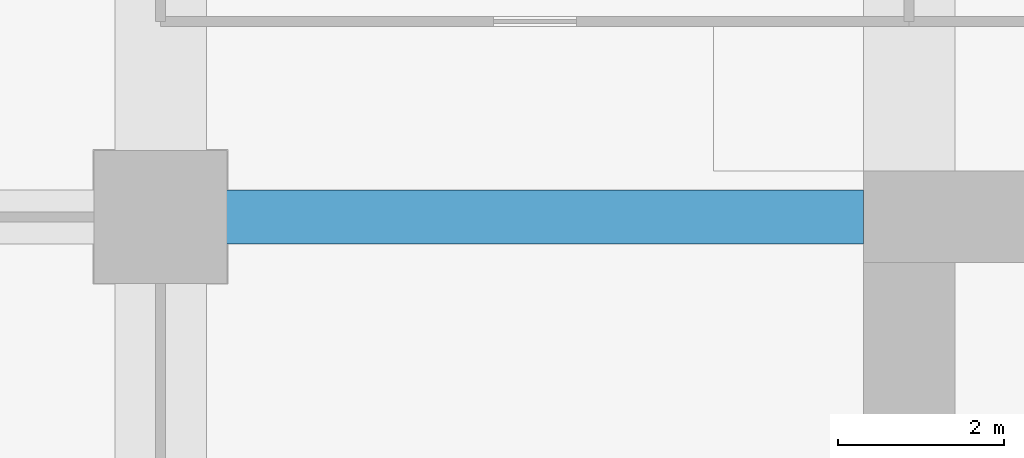
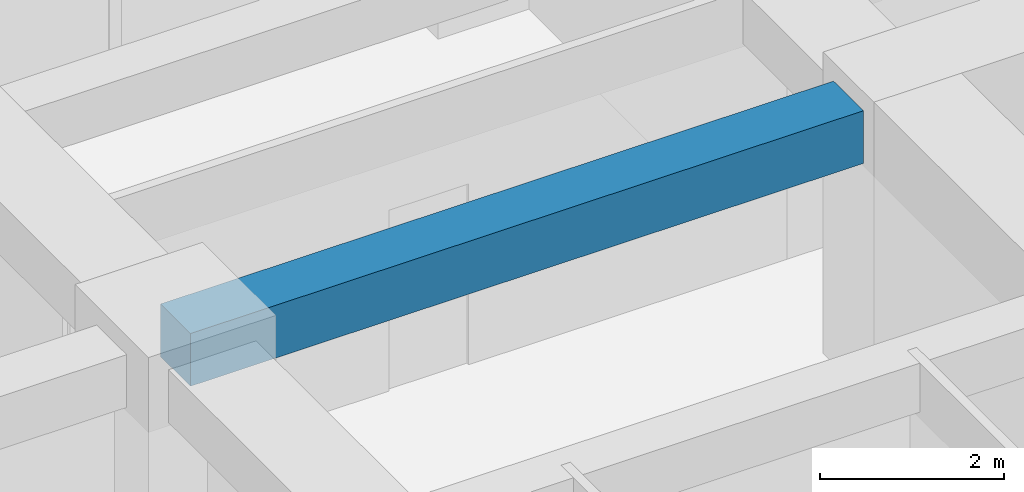
# One storey, part 21 of 32: 1 beam.
"""IFC4 building model written with IfcOpenShell, lengths in metres."""

from ifc_helpers import new_model, si_unit, direction, frame, origin, origin_2d, place, context, subcontext, project, spatial, rectangle, extrude, material, material_profile, profile_set, type_object, element, save


model = new_model("IFC4")

# Units and contexts
model_context = context("Model", 3, precision=1e-05, world=origin(), true_north=direction((0.0, 1.0)))
body_context = subcontext(model_context, "Body", "Model", "MODEL_VIEW")
ifc_project = project(units=[si_unit("LENGTHUNIT", "METRE"), si_unit("AREAUNIT", "SQUARE_METRE"), si_unit("VOLUMEUNIT", "CUBIC_METRE"), si_unit("PLANEANGLEUNIT", "RADIAN"), si_unit("MASSUNIT", "GRAM", prefix="KILO")], contexts=[model_context])

# Site, building, storey
site_placement = place(None, origin())
site = spatial("IfcSite", under=ifc_project, at=site_placement, CompositionType="ELEMENT")
building_placement = place(site_placement, origin())
building = spatial("IfcBuilding", under=site, at=building_placement, Name="Zorevar Civic Tower", CompositionType="ELEMENT")
storey_placement = place(building_placement, frame((0.0, 0.0, 190.199951171875)))
storey = spatial("IfcBuildingStorey", under=building, at=storey_placement, Name="L46", CompositionType="ELEMENT", Elevation=190.199951171875)

# Beam
ifc_material = material(Name="Concrete C50/60", Category="concrete")
ifc_material_profile = material_profile(ifc_material, rectangle(XDim=0.64990234375, YDim=0.699951171875, at=origin_2d()), Name="RC 650x700")
ifc_profile_set = profile_set([ifc_material_profile], Name="Concrete C50/60")
beam_type = type_object("IfcBeamType", Name="Beam RC 650x700", PredefinedType="BEAM", material=ifc_profile_set)
beam_placement = place(storey_placement, frame((9.0, 36.0, 3.400146484375), z_axis=(1.0, 0.0, 0.0), x_axis=(0.0, 1.0, 0.0)))
element("IfcBeam", 1, at=beam_placement, inside=storey, type_object=beam_type, Name="Girder L47", PredefinedType="BEAM", context=body_context, shape_type="SweptSolid", body=[
    extrude(rectangle(XDim=0.64990234375, YDim=0.699951171875, at=origin_2d()), origin(), (0.0, 0.0, 1.0), 8.449951171875),
])

save(model, "model.ifc")
